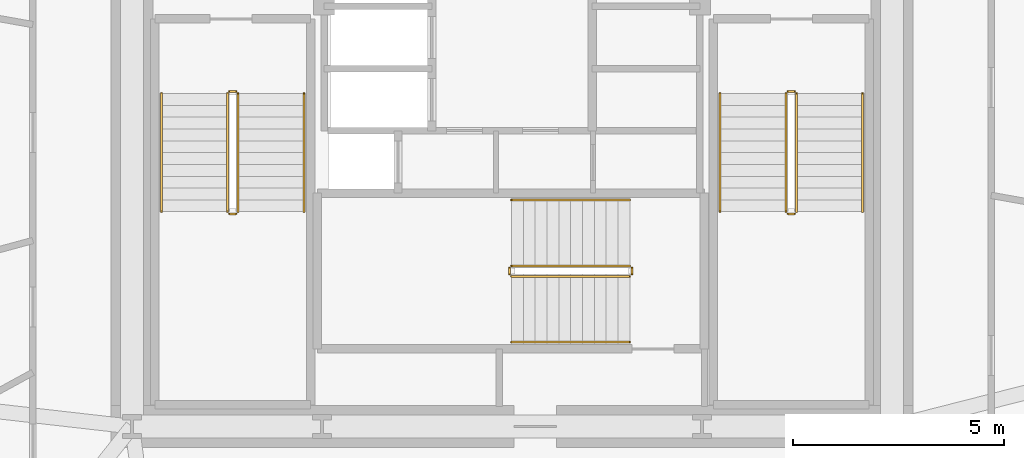
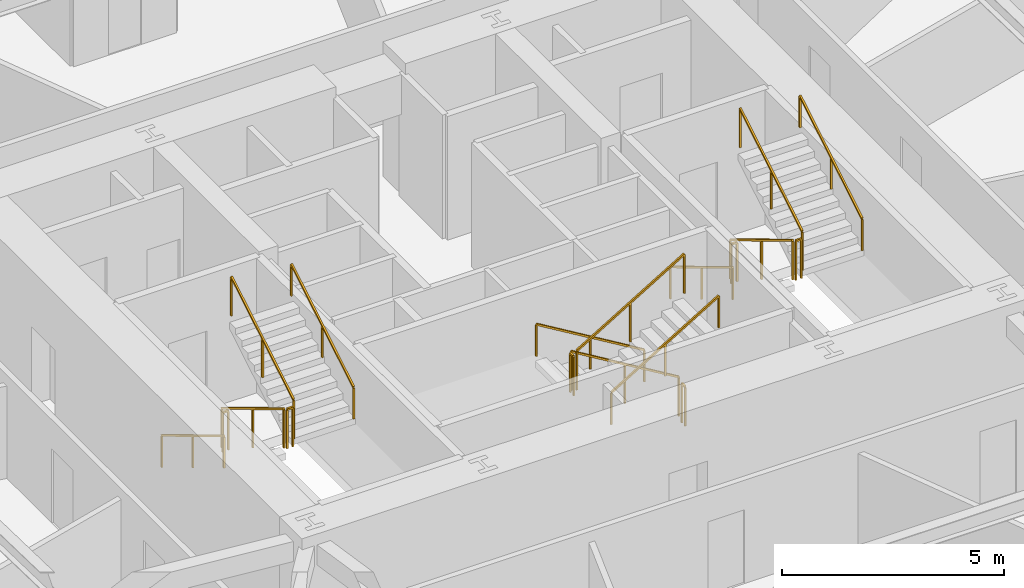
# One storey, part 9 of 10: 18 railings.
"""IFC4 building model written with IfcOpenShell, lengths in metres."""

from ifc_helpers import new_model, si_unit, direction, frame, origin, origin_2d, place, context, subcontext, project, spatial, rectangle, extrude, material, layer, layer_set, type_object, element, save


model = new_model("IFC4")

# Units and contexts
model_context = context("Model", 3, precision=1e-05, world=origin(), true_north=direction((0.0, 1.0)))
body_context = subcontext(model_context, "Body", "Model", "MODEL_VIEW")
ifc_project = project(units=[si_unit("LENGTHUNIT", "METRE"), si_unit("AREAUNIT", "SQUARE_METRE"), si_unit("VOLUMEUNIT", "CUBIC_METRE"), si_unit("PLANEANGLEUNIT", "RADIAN"), si_unit("MASSUNIT", "GRAM", prefix="KILO")], contexts=[model_context])

# Site, building, storey
site_placement = place(None, origin())
site = spatial("IfcSite", under=ifc_project, at=site_placement, CompositionType="ELEMENT")
building_placement = place(site_placement, origin())
building = spatial("IfcBuilding", under=site, at=building_placement, Name="Kilnhurst Terrace Hotel", CompositionType="ELEMENT")
storey_placement = place(building_placement, frame((0.0, 0.0, 56.39990234375)))
storey = spatial("IfcBuildingStorey", under=building, at=storey_placement, Name="L12", CompositionType="ELEMENT", Elevation=56.39990234375)

# Railings
ifc_material_1 = material(Name="Powder-Coated Steel ASTM A500 Grade B", Category="steel")
ifc_layer_1 = layer(ifc_material_1, 0.050048828125, Name="Powder-Coated Steel ASTM A500 Grade B")
ifc_layer_set_1 = layer_set([ifc_layer_1], Name="Powder-Coated Steel ASTM A500 Grade B")
railing_type_1 = type_object("IfcRailingType", Name="RLG-ST-GRD-1100", PredefinedType="GUARDRAIL", material=ifc_layer_set_1)
railing_1_placement = place(storey_placement, frame((-6.739990234375, 0.389892578125, 0.168212890625)))
element("IfcRailing", 1, at=railing_1_placement, inside=storey, type_object=railing_type_1, Name="L12 ST-1 stair guard 1", PredefinedType="GUARDRAIL", context=body_context, shape_type="SweptSolid", body=[
    extrude(rectangle(XDim=0.048095703125, YDim=0.048095703125, at=origin_2d()), frame((0.0, 0.0, 1.076171875), z_axis=(0.0, -0.857222391501, 0.514946377315), x_axis=(1.0, 0.0, 0.0)), (0.0, 0.0, 1.0), 3.26611328125),
    extrude(rectangle(XDim=0.0419921875, YDim=0.0419921875, at=origin_2d()), origin(), (0.0, 0.0, 1.0), 1.052001953125),
    extrude(rectangle(XDim=0.0419921875, YDim=0.0419921875, at=origin_2d()), frame((0.0, -1.39990234375, 0.8408203125)), (0.0, 0.0, 1.0), 1.052001953125),
    extrude(rectangle(XDim=0.0419921875, YDim=0.0419921875, at=origin_2d()), frame((0.0, -2.7998046875, 1.681884765625)), (0.0, 0.0, 1.0), 1.052001953125),
])
railing_2_placement = place(storey_placement, frame((-6.68994140625, -2.4599609375, 1.85009765625)))
element("IfcRailing", 2, at=railing_2_placement, inside=storey, type_object=railing_type_1, Name="L12 ST-1 stair guard 2", PredefinedType="GUARDRAIL", context=body_context, shape_type="SweptSolid", body=[
    extrude(rectangle(XDim=0.048095703125, YDim=0.048095703125, at=origin_2d()), frame((0.0, 0.0, 1.076171875), z_axis=(1.0, 0.0, 0.0), x_axis=(0.0, 1.0, 0.0)), (0.0, 0.0, 1.0), 0.14990234375),
    extrude(rectangle(XDim=0.0419921875, YDim=0.0419921875, at=origin_2d()), origin(), (0.0, 0.0, 1.0), 1.052001953125),
    extrude(rectangle(XDim=0.0419921875, YDim=0.0419921875, at=origin_2d()), frame((0.14990234375, 0.0, 0.0)), (0.0, 0.0, 1.0), 1.052001953125),
])
railing_3_placement = place(storey_placement, frame((-6.489990234375, -2.409912109375, 2.018310546875)))
element("IfcRailing", 3, at=railing_3_placement, inside=storey, type_object=railing_type_1, Name="L12 ST-1 stair guard 3", PredefinedType="GUARDRAIL", context=body_context, shape_type="SweptSolid", body=[
    extrude(rectangle(XDim=0.048095703125, YDim=0.048095703125, at=origin_2d()), frame((0.0, 0.0, 1.076171875), z_axis=(0.0, 0.857222391501, 0.514946377315), x_axis=(-1.0, 0.0, 0.0)), (0.0, 0.0, 1.0), 3.26611328125),
    extrude(rectangle(XDim=0.0419921875, YDim=0.0419921875, at=origin_2d()), origin(), (0.0, 0.0, 1.0), 1.052001953125),
    extrude(rectangle(XDim=0.0419921875, YDim=0.0419921875, at=origin_2d()), frame((0.0, 1.39990234375, 0.8408203125)), (0.0, 0.0, 1.0), 1.052001953125),
    extrude(rectangle(XDim=0.0419921875, YDim=0.0419921875, at=origin_2d()), frame((0.0, 2.7998046875, 1.681884765625)), (0.0, 0.0, 1.0), 1.052001953125),
])
railing_4_placement = place(storey_placement, frame((-6.68994140625, 0.43994140625, 0.0)))
element("IfcRailing", 4, at=railing_4_placement, inside=storey, type_object=railing_type_1, Name="L12 ST-1 stair guard 4", PredefinedType="GUARDRAIL", context=body_context, shape_type="SweptSolid", body=[
    extrude(rectangle(XDim=0.048095703125, YDim=0.048095703125, at=origin_2d()), frame((0.0, 0.0, 1.076171875), z_axis=(1.0, 0.0, 0.0), x_axis=(0.0, 1.0, 0.0)), (0.0, 0.0, 1.0), 0.14990234375),
    extrude(rectangle(XDim=0.0419921875, YDim=0.0419921875, at=origin_2d()), origin(), (0.0, 0.0, 1.0), 1.052001953125),
    extrude(rectangle(XDim=0.0419921875, YDim=0.0419921875, at=origin_2d()), frame((0.14990234375, 0.0, 0.0)), (0.0, 0.0, 1.0), 1.052001953125),
])
railing_5_placement = place(storey_placement, frame((6.489990234375, 0.389892578125, 0.168212890625)))
element("IfcRailing", 5, at=railing_5_placement, inside=storey, type_object=railing_type_1, Name="L12 ST-2 stair guard 1", PredefinedType="GUARDRAIL", context=body_context, shape_type="SweptSolid", body=[
    extrude(rectangle(XDim=0.048095703125, YDim=0.048095703125, at=origin_2d()), frame((0.0, 0.0, 1.076171875), z_axis=(0.0, -0.857222391501, 0.514946377315), x_axis=(1.0, 0.0, 0.0)), (0.0, 0.0, 1.0), 3.26611328125),
    extrude(rectangle(XDim=0.0419921875, YDim=0.0419921875, at=origin_2d()), origin(), (0.0, 0.0, 1.0), 1.052001953125),
    extrude(rectangle(XDim=0.0419921875, YDim=0.0419921875, at=origin_2d()), frame((0.0, -1.39990234375, 0.8408203125)), (0.0, 0.0, 1.0), 1.052001953125),
    extrude(rectangle(XDim=0.0419921875, YDim=0.0419921875, at=origin_2d()), frame((0.0, -2.7998046875, 1.681884765625)), (0.0, 0.0, 1.0), 1.052001953125),
])
railing_6_placement = place(storey_placement, frame((6.5400390625, -2.4599609375, 1.85009765625)))
element("IfcRailing", 6, at=railing_6_placement, inside=storey, type_object=railing_type_1, Name="L12 ST-2 stair guard 2", PredefinedType="GUARDRAIL", context=body_context, shape_type="SweptSolid", body=[
    extrude(rectangle(XDim=0.048095703125, YDim=0.048095703125, at=origin_2d()), frame((0.0, 0.0, 1.076171875), z_axis=(1.0, 0.0, 0.0), x_axis=(0.0, 1.0, 0.0)), (0.0, 0.0, 1.0), 0.14990234375),
    extrude(rectangle(XDim=0.0419921875, YDim=0.0419921875, at=origin_2d()), origin(), (0.0, 0.0, 1.0), 1.052001953125),
    extrude(rectangle(XDim=0.0419921875, YDim=0.0419921875, at=origin_2d()), frame((0.14990234375, 0.0, 0.0)), (0.0, 0.0, 1.0), 1.052001953125),
])
railing_7_placement = place(storey_placement, frame((6.739990234375, -2.409912109375, 2.018310546875)))
element("IfcRailing", 7, at=railing_7_placement, inside=storey, type_object=railing_type_1, Name="L12 ST-2 stair guard 3", PredefinedType="GUARDRAIL", context=body_context, shape_type="SweptSolid", body=[
    extrude(rectangle(XDim=0.048095703125, YDim=0.048095703125, at=origin_2d()), frame((0.0, 0.0, 1.076171875), z_axis=(0.0, 0.857222391501, 0.514946377315), x_axis=(-1.0, 0.0, 0.0)), (0.0, 0.0, 1.0), 3.26611328125),
    extrude(rectangle(XDim=0.0419921875, YDim=0.0419921875, at=origin_2d()), origin(), (0.0, 0.0, 1.0), 1.052001953125),
    extrude(rectangle(XDim=0.0419921875, YDim=0.0419921875, at=origin_2d()), frame((0.0, 1.39990234375, 0.8408203125)), (0.0, 0.0, 1.0), 1.052001953125),
    extrude(rectangle(XDim=0.0419921875, YDim=0.0419921875, at=origin_2d()), frame((0.0, 2.7998046875, 1.681884765625)), (0.0, 0.0, 1.0), 1.052001953125),
])
railing_8_placement = place(storey_placement, frame((6.5400390625, 0.43994140625, 0.0)))
element("IfcRailing", 8, at=railing_8_placement, inside=storey, type_object=railing_type_1, Name="L12 ST-2 stair guard 4", PredefinedType="GUARDRAIL", context=body_context, shape_type="SweptSolid", body=[
    extrude(rectangle(XDim=0.048095703125, YDim=0.048095703125, at=origin_2d()), frame((0.0, 0.0, 1.076171875), z_axis=(1.0, 0.0, 0.0), x_axis=(0.0, 1.0, 0.0)), (0.0, 0.0, 1.0), 0.14990234375),
    extrude(rectangle(XDim=0.0419921875, YDim=0.0419921875, at=origin_2d()), origin(), (0.0, 0.0, 1.0), 1.052001953125),
    extrude(rectangle(XDim=0.0419921875, YDim=0.0419921875, at=origin_2d()), frame((0.14990234375, 0.0, 0.0)), (0.0, 0.0, 1.0), 1.052001953125),
])
railing_9_placement = place(storey_placement, frame((2.7900390625, -3.68994140625, 0.168212890625)))
element("IfcRailing", 9, at=railing_9_placement, inside=storey, type_object=railing_type_1, Name="L12 ST-3 stair guard 1", PredefinedType="GUARDRAIL", context=body_context, shape_type="SweptSolid", body=[
    extrude(rectangle(XDim=0.048095703125, YDim=0.048095703125, at=origin_2d()), frame((0.0, 0.0, 1.076171875), z_axis=(-0.857242210791, 0.0, 0.514913383045), x_axis=(0.0, -1.0, 0.0)), (0.0, 0.0, 1.0), 3.266357421875),
    extrude(rectangle(XDim=0.0419921875, YDim=0.0419921875, at=origin_2d()), origin(), (0.0, 0.0, 1.0), 1.052001953125),
    extrude(rectangle(XDim=0.0419921875, YDim=0.0419921875, at=origin_2d()), frame((-1.39990234375, 0.0, 0.8408203125)), (0.0, 0.0, 1.0), 1.052001953125),
    extrude(rectangle(XDim=0.0419921875, YDim=0.0419921875, at=origin_2d()), frame((-2.800048828125, 0.0, 1.681884765625)), (0.0, 0.0, 1.0), 1.052001953125),
])
railing_10_placement = place(storey_placement, frame((-0.06005859375, -3.739990234375, 1.85009765625)))
element("IfcRailing", 10, at=railing_10_placement, inside=storey, type_object=railing_type_1, Name="L12 ST-3 stair guard 2", PredefinedType="GUARDRAIL", context=body_context, shape_type="SweptSolid", body=[
    extrude(rectangle(XDim=0.048095703125, YDim=0.048095703125, at=origin_2d()), frame((0.0, 0.0, 1.076171875), z_axis=(0.0, -1.0, 0.0), x_axis=(1.0, 0.0, 0.0)), (0.0, 0.0, 1.0), 0.14990234375),
    extrude(rectangle(XDim=0.0419921875, YDim=0.0419921875, at=origin_2d()), origin(), (0.0, 0.0, 1.0), 1.052001953125),
    extrude(rectangle(XDim=0.0419921875, YDim=0.0419921875, at=origin_2d()), frame((0.0, -0.14990234375, 0.0)), (0.0, 0.0, 1.0), 1.052001953125),
])
railing_11_placement = place(storey_placement, frame((-0.010009765625, -3.93994140625, 2.018310546875)))
element("IfcRailing", 11, at=railing_11_placement, inside=storey, type_object=railing_type_1, Name="L12 ST-3 stair guard 3", PredefinedType="GUARDRAIL", context=body_context, shape_type="SweptSolid", body=[
    extrude(rectangle(XDim=0.048095703125, YDim=0.048095703125, at=origin_2d()), frame((0.0, 0.0, 1.076171875), z_axis=(0.857242210791, 0.0, 0.514913383045), x_axis=(0.0, 1.0, 0.0)), (0.0, 0.0, 1.0), 3.266357421875),
    extrude(rectangle(XDim=0.0419921875, YDim=0.0419921875, at=origin_2d()), origin(), (0.0, 0.0, 1.0), 1.052001953125),
    extrude(rectangle(XDim=0.0419921875, YDim=0.0419921875, at=origin_2d()), frame((1.39990234375, 0.0, 0.8408203125)), (0.0, 0.0, 1.0), 1.052001953125),
    extrude(rectangle(XDim=0.0419921875, YDim=0.0419921875, at=origin_2d()), frame((2.800048828125, 0.0, 1.681884765625)), (0.0, 0.0, 1.0), 1.052001953125),
])
railing_12_placement = place(storey_placement, frame((2.840087890625, -3.739990234375, 0.0)))
element("IfcRailing", 12, at=railing_12_placement, inside=storey, type_object=railing_type_1, Name="L12 ST-3 stair guard 4", PredefinedType="GUARDRAIL", context=body_context, shape_type="SweptSolid", body=[
    extrude(rectangle(XDim=0.048095703125, YDim=0.048095703125, at=origin_2d()), frame((0.0, 0.0, 1.076171875), z_axis=(0.0, -1.0, 0.0), x_axis=(1.0, 0.0, 0.0)), (0.0, 0.0, 1.0), 0.14990234375),
    extrude(rectangle(XDim=0.0419921875, YDim=0.0419921875, at=origin_2d()), origin(), (0.0, 0.0, 1.0), 1.052001953125),
    extrude(rectangle(XDim=0.0419921875, YDim=0.0419921875, at=origin_2d()), frame((0.0, -0.14990234375, 0.0)), (0.0, 0.0, 1.0), 1.052001953125),
])
ifc_material_2 = material(Name="Brushed Stainless Steel AISI 304", Category="steel")
ifc_layer_2 = layer(ifc_material_2, 0.048095703125, Name="Brushed Stainless Steel AISI 304")
ifc_layer_set_2 = layer_set([ifc_layer_2], Name="Brushed Stainless Steel AISI 304")
railing_type_2 = type_object("IfcRailingType", Name="RLG-ST-HRL-900", PredefinedType="HANDRAIL", material=ifc_layer_set_2)
railing_13_placement = place(storey_placement, frame((-8.300048828125, 0.389892578125, 0.168212890625)))
element("IfcRailing", 13, at=railing_13_placement, inside=storey, type_object=railing_type_2, Name="L12 ST-1 stair handrail 1", PredefinedType="HANDRAIL", context=body_context, shape_type="SweptSolid", body=[
    extrude(rectangle(XDim=0.048095703125, YDim=0.048095703125, at=origin_2d()), frame((0.0, 0.0, 0.8759765625), z_axis=(0.0, -0.857222391501, 0.514946377315), x_axis=(1.0, 0.0, 0.0)), (0.0, 0.0, 1.0), 3.26611328125),
    extrude(rectangle(XDim=0.0419921875, YDim=0.0419921875, at=origin_2d()), origin(), (0.0, 0.0, 1.0), 0.851806640625),
    extrude(rectangle(XDim=0.0419921875, YDim=0.0419921875, at=origin_2d()), frame((0.0, -1.39990234375, 0.8408203125)), (0.0, 0.0, 1.0), 0.851806640625),
    extrude(rectangle(XDim=0.0419921875, YDim=0.0419921875, at=origin_2d()), frame((0.0, -2.7998046875, 1.681884765625)), (0.0, 0.0, 1.0), 0.851806640625),
])
railing_14_placement = place(storey_placement, frame((-4.929931640625, -2.409912109375, 2.018310546875)))
element("IfcRailing", 14, at=railing_14_placement, inside=storey, type_object=railing_type_2, Name="L12 ST-1 stair handrail 2", PredefinedType="HANDRAIL", context=body_context, shape_type="SweptSolid", body=[
    extrude(rectangle(XDim=0.048095703125, YDim=0.048095703125, at=origin_2d()), frame((0.0, 0.0, 0.8759765625), z_axis=(0.0, 0.857222391501, 0.514946377315), x_axis=(-1.0, 0.0, 0.0)), (0.0, 0.0, 1.0), 3.26611328125),
    extrude(rectangle(XDim=0.0419921875, YDim=0.0419921875, at=origin_2d()), origin(), (0.0, 0.0, 1.0), 0.851806640625),
    extrude(rectangle(XDim=0.0419921875, YDim=0.0419921875, at=origin_2d()), frame((0.0, 1.39990234375, 0.8408203125)), (0.0, 0.0, 1.0), 0.851806640625),
    extrude(rectangle(XDim=0.0419921875, YDim=0.0419921875, at=origin_2d()), frame((0.0, 2.7998046875, 1.681884765625)), (0.0, 0.0, 1.0), 0.851806640625),
])
railing_15_placement = place(storey_placement, frame((4.929931640625, 0.389892578125, 0.168212890625)))
element("IfcRailing", 15, at=railing_15_placement, inside=storey, type_object=railing_type_2, Name="L12 ST-2 stair handrail 1", PredefinedType="HANDRAIL", context=body_context, shape_type="SweptSolid", body=[
    extrude(rectangle(XDim=0.048095703125, YDim=0.048095703125, at=origin_2d()), frame((0.0, 0.0, 0.8759765625), z_axis=(0.0, -0.857222391501, 0.514946377315), x_axis=(1.0, 0.0, 0.0)), (0.0, 0.0, 1.0), 3.26611328125),
    extrude(rectangle(XDim=0.0419921875, YDim=0.0419921875, at=origin_2d()), origin(), (0.0, 0.0, 1.0), 0.851806640625),
    extrude(rectangle(XDim=0.0419921875, YDim=0.0419921875, at=origin_2d()), frame((0.0, -1.39990234375, 0.8408203125)), (0.0, 0.0, 1.0), 0.851806640625),
    extrude(rectangle(XDim=0.0419921875, YDim=0.0419921875, at=origin_2d()), frame((0.0, -2.7998046875, 1.681884765625)), (0.0, 0.0, 1.0), 0.851806640625),
])
railing_16_placement = place(storey_placement, frame((8.300048828125, -2.409912109375, 2.018310546875)))
element("IfcRailing", 16, at=railing_16_placement, inside=storey, type_object=railing_type_2, Name="L12 ST-2 stair handrail 2", PredefinedType="HANDRAIL", context=body_context, shape_type="SweptSolid", body=[
    extrude(rectangle(XDim=0.048095703125, YDim=0.048095703125, at=origin_2d()), frame((0.0, 0.0, 0.8759765625), z_axis=(0.0, 0.857222391501, 0.514946377315), x_axis=(-1.0, 0.0, 0.0)), (0.0, 0.0, 1.0), 3.26611328125),
    extrude(rectangle(XDim=0.0419921875, YDim=0.0419921875, at=origin_2d()), origin(), (0.0, 0.0, 1.0), 0.851806640625),
    extrude(rectangle(XDim=0.0419921875, YDim=0.0419921875, at=origin_2d()), frame((0.0, 1.39990234375, 0.8408203125)), (0.0, 0.0, 1.0), 0.851806640625),
    extrude(rectangle(XDim=0.0419921875, YDim=0.0419921875, at=origin_2d()), frame((0.0, 2.7998046875, 1.681884765625)), (0.0, 0.0, 1.0), 0.851806640625),
])
railing_17_placement = place(storey_placement, frame((2.7900390625, -2.1298828125, 0.168212890625)))
element("IfcRailing", 17, at=railing_17_placement, inside=storey, type_object=railing_type_2, Name="L12 ST-3 stair handrail 1", PredefinedType="HANDRAIL", context=body_context, shape_type="SweptSolid", body=[
    extrude(rectangle(XDim=0.048095703125, YDim=0.048095703125, at=origin_2d()), frame((0.0, 0.0, 0.8759765625), z_axis=(-0.857242210791, 0.0, 0.514913383045), x_axis=(0.0, -1.0, 0.0)), (0.0, 0.0, 1.0), 3.266357421875),
    extrude(rectangle(XDim=0.0419921875, YDim=0.0419921875, at=origin_2d()), origin(), (0.0, 0.0, 1.0), 0.851806640625),
    extrude(rectangle(XDim=0.0419921875, YDim=0.0419921875, at=origin_2d()), frame((-1.39990234375, 0.0, 0.8408203125)), (0.0, 0.0, 1.0), 0.851806640625),
    extrude(rectangle(XDim=0.0419921875, YDim=0.0419921875, at=origin_2d()), frame((-2.800048828125, 0.0, 1.681884765625)), (0.0, 0.0, 1.0), 0.851806640625),
])
railing_18_placement = place(storey_placement, frame((-0.010009765625, -5.5, 2.018310546875)))
element("IfcRailing", 18, at=railing_18_placement, inside=storey, type_object=railing_type_2, Name="L12 ST-3 stair handrail 2", PredefinedType="HANDRAIL", context=body_context, shape_type="SweptSolid", body=[
    extrude(rectangle(XDim=0.048095703125, YDim=0.048095703125, at=origin_2d()), frame((0.0, 0.0, 0.8759765625), z_axis=(0.857242210791, 0.0, 0.514913383045), x_axis=(0.0, 1.0, 0.0)), (0.0, 0.0, 1.0), 3.266357421875),
    extrude(rectangle(XDim=0.0419921875, YDim=0.0419921875, at=origin_2d()), origin(), (0.0, 0.0, 1.0), 0.851806640625),
    extrude(rectangle(XDim=0.0419921875, YDim=0.0419921875, at=origin_2d()), frame((1.39990234375, 0.0, 0.8408203125)), (0.0, 0.0, 1.0), 0.851806640625),
    extrude(rectangle(XDim=0.0419921875, YDim=0.0419921875, at=origin_2d()), frame((2.800048828125, 0.0, 1.681884765625)), (0.0, 0.0, 1.0), 0.851806640625),
])

save(model, "model.ifc")
